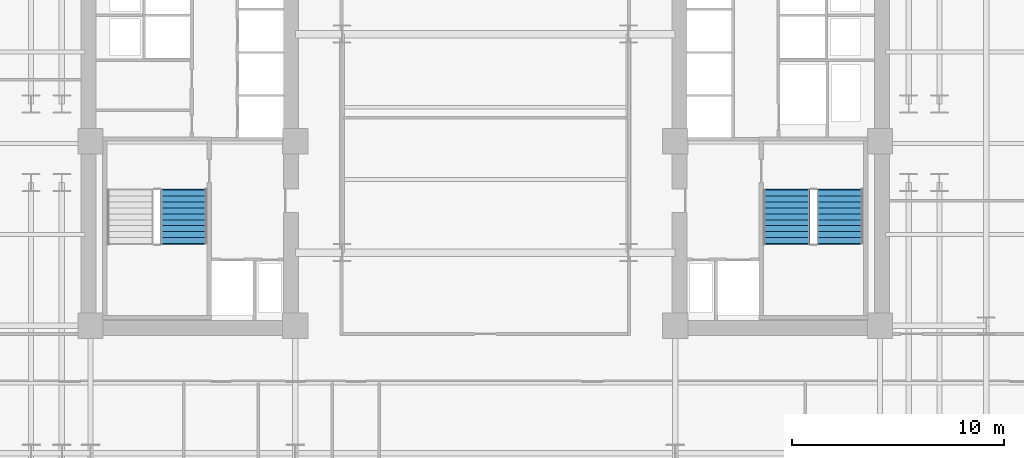
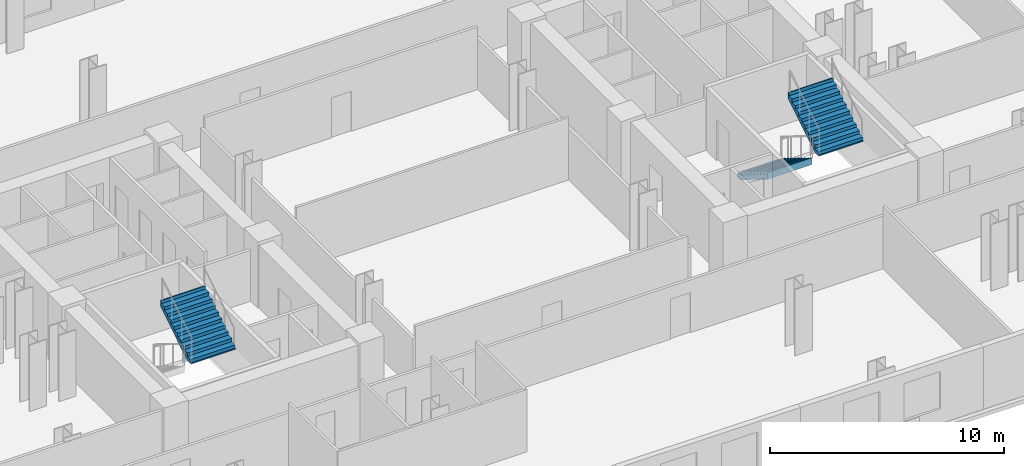
# One storey, part 8 of 10: 3 stair flights, 2 elements without a shape of their own.
"""IFC4 building model written with IfcOpenShell, lengths in metres."""

import ifcopenshell
import ifcopenshell.guid

model = None  # the IFC model being written
_history = None  # IfcOwnerHistory: only IFC2X3 demands one
_inside = {}  # id of a spatial element -> (the spatial element, [elements in it])
_under = {}  # id of a project, library or spatial element -> (it, [spatial elements below it])
_declared = {}  # id of a project -> (the project, [libraries it declares])
_typed = {}  # id of a type object -> (the type object, [elements of that type])
_made_of = {}  # id of a material, layer set ... -> (it, [elements and type objects made of it])


def new_model(schema):
    """Start an empty IFC model of exactly this schema.

    Asked for "IFC4X3", IfcOpenShell would pick the latest addendum, in which some entities
    have other attributes; the version numbers below select the first issue.
    IFC2X3 requires an IfcOwnerHistory on every rooted entity: one is made here for all.
    """
    global model, _history
    if schema == "IFC4X3":
        model = ifcopenshell.file(schema_version=(4, 3, 0, 0))
    else:
        model = ifcopenshell.file(schema=schema)
    _inside.clear()
    _under.clear()
    _declared.clear()
    _typed.clear()
    _made_of.clear()
    _history = None
    if model.schema == "IFC2X3":
        org = make("IfcOrganization", Name="unknown")
        user = make(
            "IfcPersonAndOrganization",
            ThePerson=make("IfcPerson", FamilyName="unknown"),
            TheOrganization=org,
        )
        app = make(
            "IfcApplication",
            ApplicationDeveloper=org,
            Version="unknown",
            ApplicationFullName="unknown",
            ApplicationIdentifier="unknown",
        )
        _history = make(
            "IfcOwnerHistory",
            OwningUser=user,
            OwningApplication=app,
            ChangeAction="ADDED",
            CreationDate=0,
        )
    return model


def make(cls, **values):
    """One entity of the class cls with the attributes given. An attribute that is None is left unset."""
    return model.create_entity(
        cls, **{name: value for name, value in values.items() if value is not None}
    )


def rooted(cls, **values):
    """An entity with a GlobalId (a new one), such as an element, a storey or a relation."""
    return make(cls, GlobalId=ifcopenshell.guid.new(), OwnerHistory=_history, **values)


def si_unit(unit_type, name, prefix=None):
    """IfcSIUnit, for example si_unit("LENGTHUNIT", "METRE", prefix="MILLI")."""
    return make("IfcSIUnit", UnitType=unit_type, Prefix=prefix, Name=name)


def assignment(units):
    """IfcUnitAssignment: the units of a project."""
    return None if units is None else make("IfcUnitAssignment", Units=units)


def point(xyz):
    """IfcCartesianPoint."""
    return None if xyz is None else make("IfcCartesianPoint", Coordinates=xyz)


def direction(xyz):
    """IfcDirection."""
    return None if xyz is None else make("IfcDirection", DirectionRatios=xyz)


def frame(location, z_axis=None, x_axis=None):
    """IfcAxis2Placement3D, a coordinate frame: its origin and axes. An axis left out is left unset."""
    return make(
        "IfcAxis2Placement3D",
        Location=point(location),
        Axis=direction(z_axis),
        RefDirection=direction(x_axis),
    )


def origin():
    """The frame at (0, 0, 0) with its axes left unset."""
    return frame((0.0, 0.0, 0.0))


def place(relative_to, where):
    """IfcLocalPlacement: puts the frame where relative to a parent placement (None: the world)."""
    return make(
        "IfcLocalPlacement", PlacementRelTo=relative_to, RelativePlacement=where
    )


def context(
    kind, dimensions, precision=None, world=None, true_north=None, identifier=None
):
    """IfcGeometricRepresentationContext, for example the 3D "Model" context."""
    return make(
        "IfcGeometricRepresentationContext",
        ContextIdentifier=identifier,
        ContextType=kind,
        CoordinateSpaceDimension=dimensions,
        Precision=precision,
        WorldCoordinateSystem=world,
        TrueNorth=true_north,
    )


def subcontext(parent, identifier, kind, view, scale=None):
    """IfcGeometricRepresentationSubContext, for example "Body" below "Model"."""
    return make(
        "IfcGeometricRepresentationSubContext",
        ContextIdentifier=identifier,
        ContextType=kind,
        ParentContext=parent,
        TargetScale=scale,
        TargetView=view,
    )


def project(units=None, contexts=None):
    """IfcProject with its units and contexts."""
    return rooted(
        "IfcProject",
        Name="project",
        RepresentationContexts=contexts,
        UnitsInContext=assignment(units),
    )


def spatial(cls, under=None, at=None, **own):
    """A site, building, storey or space (cls), placed at a placement, below another one or the project."""
    s = rooted(cls, ObjectPlacement=at, **own)
    if under is not None:
        _under.setdefault(under.id(), (under, []))[1].append(s)
    return s


def polyline(points):
    """IfcPolyline through the points."""
    return make("IfcPolyline", Points=[point(p) for p in points])


def outline(outer, holes=None, kind="AREA"):
    """IfcArbitraryClosedProfileDef: a profile drawn as a closed curve; with holes, ...WithVoids."""
    if holes is None:
        return make("IfcArbitraryClosedProfileDef", ProfileType=kind, OuterCurve=outer)
    return make(
        "IfcArbitraryProfileDefWithVoids",
        ProfileType=kind,
        OuterCurve=outer,
        InnerCurves=holes,
    )


def extrude(swept, where, along, depth):
    """IfcExtrudedAreaSolid: the profile swept, set in the frame where, extruded along a direction by depth."""
    return make(
        "IfcExtrudedAreaSolid",
        SweptArea=swept,
        Position=where,
        ExtrudedDirection=direction(along),
        Depth=depth,
    )


def shape(context_of_items, identifier, shape_type, items):
    """IfcShapeRepresentation: the items that make up one representation, for example the "Body"."""
    return make(
        "IfcShapeRepresentation",
        ContextOfItems=context_of_items,
        RepresentationIdentifier=identifier,
        RepresentationType=shape_type,
        Items=items,
    )


def material(Name=None, Category=None):
    """IfcMaterial."""
    return make("IfcMaterial", Name=Name, Category=Category)


def layer(
    of_material, thickness, ventilated=None, Name=None, Category=None, Priority=None
):
    """IfcMaterialLayer: one layer of a wall or slab, of a material (None: an air gap)."""
    return make(
        "IfcMaterialLayer",
        Material=of_material,
        LayerThickness=thickness,
        IsVentilated=ventilated,
        Name=Name,
        Category=Category,
        Priority=Priority,
    )


def layer_set(layers, Name=None):
    """IfcMaterialLayerSet."""
    return make("IfcMaterialLayerSet", MaterialLayers=layers, LayerSetName=Name)


def made_of(thing, what):
    """Note that an element or type object is made of a material, layer set ...; save() writes the relation."""
    if what is not None:
        _made_of.setdefault(what.id(), (what, []))[1].append(thing)
    return thing


def type_object(cls, material=None, **own):
    """A type object (cls), such as IfcWallType, which elements share."""
    return made_of(rooted(cls, **own), material)


def element(
    cls,
    number,
    at=None,
    inside=None,
    cuts=None,
    type_object=None,
    material=None,
    context=None,
    identifier="Body",
    shape_type=None,
    held_by="IfcProductDefinitionShape",
    body=None,
    shapes=None,
    **own,
):
    """One element of the class cls, such as IfcWall. Its Tag is "e" and its number.

    at: its placement. inside: the storey or other place that contains it. cuts: it is an
    opening in that element (IfcRelVoidsElement). A single representation is given by context,
    identifier, shape_type and body (its items); several are given by shapes. held_by: the class
    of the entity that holds the representations. save() writes the other relations.
    """
    e = rooted(cls, Tag="e%d" % number, ObjectPlacement=at, **own)
    if body is not None:
        shapes = [shape(context, identifier, shape_type, body)]
    if shapes is not None:
        e.Representation = make(held_by, Representations=shapes)
    if inside is not None:
        _inside.setdefault(inside.id(), (inside, []))[1].append(e)
    if cuts is not None:
        rooted(
            "IfcRelVoidsElement", RelatingBuildingElement=cuts, RelatedOpeningElement=e
        )
    if type_object is not None:
        _typed.setdefault(type_object.id(), (type_object, []))[1].append(e)
    return made_of(e, material)


def aggregate(whole, parts):
    """IfcRelAggregates: a whole, such as a stair, and the parts it consists of."""
    return rooted("IfcRelAggregates", RelatingObject=whole, RelatedObjects=parts)


def save(model, path):
    """Write the relations noted so far, then the file.

    IfcRelAggregates (storeys below a building ...), IfcRelContainedInSpatialStructure (elements
    in a storey), IfcRelDefinesByType, IfcRelAssociatesMaterial and IfcRelDeclares: one each for
    every whole, place, type object, material and project.
    """
    for whole, parts in _under.values():
        aggregate(whole, parts)
    for where, things in _inside.values():
        rooted(
            "IfcRelContainedInSpatialStructure",
            RelatedElements=things,
            RelatingStructure=where,
        )
    for kind, things in _typed.values():
        rooted("IfcRelDefinesByType", RelatedObjects=things, RelatingType=kind)
    for what, things in _made_of.values():
        rooted("IfcRelAssociatesMaterial", RelatedObjects=things, RelatingMaterial=what)
    for by, libraries in _declared.values():
        rooted("IfcRelDeclares", RelatingContext=by, RelatedDefinitions=libraries)
    model.write(path)


model = new_model("IFC4")

# Units and contexts
model_context = context("Model", 3, precision=1e-05, world=origin(), true_north=direction((0.0, 1.0)))
body_context = subcontext(model_context, "Body", "Model", "MODEL_VIEW")
ifc_project = project(units=[si_unit("LENGTHUNIT", "METRE"), si_unit("AREAUNIT", "SQUARE_METRE"), si_unit("VOLUMEUNIT", "CUBIC_METRE"), si_unit("PLANEANGLEUNIT", "RADIAN"), si_unit("MASSUNIT", "GRAM", prefix="KILO")], contexts=[model_context])

# Site, building, storey
site_placement = place(None, origin())
site = spatial("IfcSite", under=ifc_project, at=site_placement, CompositionType="ELEMENT")
building_placement = place(site_placement, origin())
building = spatial("IfcBuilding", under=site, at=building_placement, Name="Velakula Bourse", CompositionType="ELEMENT")
storey_placement = place(building_placement, frame((0.0, 0.0, 34.64990234375)))
storey = spatial("IfcBuildingStorey", under=building, at=storey_placement, Name="L08", CompositionType="ELEMENT", Elevation=34.64990234375)

# Stair, stair flight
ifc_material = material(Name="Concrete M45 (fck 45 MPa)", Category="concrete")
stair_type = type_object("IfcStairType", Name="STR-DOG-390", PredefinedType="HALF_TURN_STAIR", material=ifc_material)
stair_1_placement = place(storey_placement, origin())
stair_1 = element("IfcStair", 1, at=stair_1_placement, inside=storey, type_object=stair_type, Name="L08 West Core Exit Stair ST-W1", PredefinedType="HALF_TURN_STAIR")
ifc_layer = layer(ifc_material, 0.195068359375, Name="Concrete M45 (fck 45 MPa)", Category="concrete")
ifc_layer_set = layer_set([ifc_layer], Name="Concrete M45 (fck 45 MPa)")
stair_flight_type = type_object("IfcStairFlightType", Name="FLT-DOG-390", PredefinedType="STRAIGHT", material=ifc_layer_set)
stair_flight_1_placement = place(storey_placement, frame((-14.198974609375, -4.719970703125, 1.72509765625), z_axis=(0.0, 0.0, 1.0), x_axis=(0.0, 1.0, 0.0)))
stair_flight_1 = element("IfcStairFlight", 2, at=stair_flight_1_placement, type_object=stair_flight_type, Name="ST-W1 flight 2", NumberOfRisers=10, NumberOfTreads=9, PredefinedType="STRAIGHT", RiserHeight=0.1725, TreadLength=0.28, context=body_context, shape_type="SweptSolid", body=[
    extrude(outline(polyline([(-0.044921875, -0.0400390625), (-0.044921875, -0.036865234375), (-0.044921875, -0.033935546875), (-0.044921875, -0.03076171875), (-0.044921875, -0.027587890625), (-0.044921875, -0.024658203125), (-0.044921875, -0.021484375), (-0.044921875, -0.0185546875), (-0.044921875, -0.015380859375), (-0.044921875, -0.01220703125), (-0.044921875, -0.00927734375), (-0.044921875, -0.006103515625), (-0.044921875, -0.003173828125), (-0.044921875, 0.0), (0.0, 0.0), (0.0, 0.172607421875), (0.280029296875, 0.172607421875), (0.280029296875, 0.344970703125), (0.56005859375, 0.344970703125), (0.56005859375, 0.517578125), (0.840087890625, 0.517578125), (0.840087890625, 0.68994140625), (1.1201171875, 0.68994140625), (1.1201171875, 0.862548828125), (1.39990234375, 0.862548828125), (1.39990234375, 1.034912109375), (1.679931640625, 1.034912109375), (1.679931640625, 1.20751953125), (1.9599609375, 1.20751953125), (1.9599609375, 1.3798828125), (2.239990234375, 1.3798828125), (2.239990234375, 1.552490234375), (2.52001953125, 1.552490234375), (2.52001953125, 1.72509765625), (2.56494140625, 1.72509765625), (2.56494140625, 1.7001953125), (2.56494140625, 1.67529296875), (2.56494140625, 1.650390625), (2.56494140625, 1.62548828125), (2.56494140625, 1.6005859375), (2.56494140625, 1.57568359375), (2.56494140625, 1.55078125), (2.56494140625, 1.52587890625), (2.56494140625, 1.5009765625), (2.56494140625, 1.47607421875), (2.56494140625, 1.451171875), (2.56494140625, 1.42626953125), (2.56494140625, 1.4013671875), (2.56494140625, 1.37646484375), (0.285888671875, -0.0400390625), (-0.044921875, -0.0400390625)])), frame((0.0, 1.09912109375, 0.0), z_axis=(0.0, -1.0, 0.0), x_axis=(1.0, 0.0, 0.0)), (0.0, 0.0, 1.0), 2.197998046875),
])
aggregate(stair_1, [stair_flight_1])

# Stair, stair flights
stair_2_placement = place(storey_placement, origin())
stair_2 = element("IfcStair", 3, at=stair_2_placement, inside=storey, type_object=stair_type, Name="L08 East Core Exit Stair ST-E1", PredefinedType="HALF_TURN_STAIR")
stair_flight_2_placement = place(storey_placement, frame((14.198974609375, -2.199951171875, 0.0), z_axis=(0.0, 0.0, 1.0), x_axis=(0.0, -1.0, 0.0)))
stair_flight_2 = element("IfcStairFlight", 4, at=stair_flight_2_placement, type_object=stair_flight_type, Name="ST-E1 flight 1", NumberOfRisers=10, NumberOfTreads=9, PredefinedType="STRAIGHT", RiserHeight=0.1725, TreadLength=0.28, context=body_context, shape_type="SweptSolid", body=[
    extrude(outline(polyline([(-0.044921875, -0.0400390625), (-0.044921875, -0.036865234375), (-0.044921875, -0.033935546875), (-0.044921875, -0.03076171875), (-0.044921875, -0.027587890625), (-0.044921875, -0.024658203125), (-0.044921875, -0.021484375), (-0.044921875, -0.0185546875), (-0.044921875, -0.015380859375), (-0.044921875, -0.01220703125), (-0.044921875, -0.00927734375), (-0.044921875, -0.006103515625), (-0.044921875, -0.003173828125), (-0.044921875, 0.0), (0.0, 0.0), (0.0, 0.172607421875), (0.280029296875, 0.172607421875), (0.280029296875, 0.344970703125), (0.56005859375, 0.344970703125), (0.56005859375, 0.517578125), (0.840087890625, 0.517578125), (0.840087890625, 0.68994140625), (1.1201171875, 0.68994140625), (1.1201171875, 0.862548828125), (1.39990234375, 0.862548828125), (1.39990234375, 1.034912109375), (1.679931640625, 1.034912109375), (1.679931640625, 1.20751953125), (1.9599609375, 1.20751953125), (1.9599609375, 1.3798828125), (2.239990234375, 1.3798828125), (2.239990234375, 1.552490234375), (2.52001953125, 1.552490234375), (2.52001953125, 1.72509765625), (2.56494140625, 1.72509765625), (2.56494140625, 1.7001953125), (2.56494140625, 1.67529296875), (2.56494140625, 1.650390625), (2.56494140625, 1.62548828125), (2.56494140625, 1.6005859375), (2.56494140625, 1.57568359375), (2.56494140625, 1.55078125), (2.56494140625, 1.52587890625), (2.56494140625, 1.5009765625), (2.56494140625, 1.47607421875), (2.56494140625, 1.451171875), (2.56494140625, 1.42626953125), (2.56494140625, 1.4013671875), (2.56494140625, 1.37646484375), (0.285888671875, -0.0400390625), (-0.044921875, -0.0400390625)])), frame((0.0, 1.09912109375, 0.0), z_axis=(0.0, -1.0, 0.0), x_axis=(1.0, 0.0, 0.0)), (0.0, 0.0, 1.0), 2.197998046875),
])
stair_flight_3_placement = place(storey_placement, frame((16.720947265625, -4.719970703125, 1.72509765625), z_axis=(0.0, 0.0, 1.0), x_axis=(0.0, 1.0, 0.0)))
stair_flight_3 = element("IfcStairFlight", 5, at=stair_flight_3_placement, type_object=stair_flight_type, Name="ST-E1 flight 2", NumberOfRisers=10, NumberOfTreads=9, PredefinedType="STRAIGHT", RiserHeight=0.1725, TreadLength=0.28, context=body_context, shape_type="SweptSolid", body=[
    extrude(outline(polyline([(-0.044921875, -0.0400390625), (-0.044921875, -0.036865234375), (-0.044921875, -0.033935546875), (-0.044921875, -0.03076171875), (-0.044921875, -0.027587890625), (-0.044921875, -0.024658203125), (-0.044921875, -0.021484375), (-0.044921875, -0.0185546875), (-0.044921875, -0.015380859375), (-0.044921875, -0.01220703125), (-0.044921875, -0.00927734375), (-0.044921875, -0.006103515625), (-0.044921875, -0.003173828125), (-0.044921875, 0.0), (0.0, 0.0), (0.0, 0.172607421875), (0.280029296875, 0.172607421875), (0.280029296875, 0.344970703125), (0.56005859375, 0.344970703125), (0.56005859375, 0.517578125), (0.840087890625, 0.517578125), (0.840087890625, 0.68994140625), (1.1201171875, 0.68994140625), (1.1201171875, 0.862548828125), (1.39990234375, 0.862548828125), (1.39990234375, 1.034912109375), (1.679931640625, 1.034912109375), (1.679931640625, 1.20751953125), (1.9599609375, 1.20751953125), (1.9599609375, 1.3798828125), (2.239990234375, 1.3798828125), (2.239990234375, 1.552490234375), (2.52001953125, 1.552490234375), (2.52001953125, 1.72509765625), (2.56494140625, 1.72509765625), (2.56494140625, 1.7001953125), (2.56494140625, 1.67529296875), (2.56494140625, 1.650390625), (2.56494140625, 1.62548828125), (2.56494140625, 1.6005859375), (2.56494140625, 1.57568359375), (2.56494140625, 1.55078125), (2.56494140625, 1.52587890625), (2.56494140625, 1.5009765625), (2.56494140625, 1.47607421875), (2.56494140625, 1.451171875), (2.56494140625, 1.42626953125), (2.56494140625, 1.4013671875), (2.56494140625, 1.37646484375), (0.285888671875, -0.0400390625), (-0.044921875, -0.0400390625)])), frame((0.0, 1.09912109375, 0.0), z_axis=(0.0, -1.0, 0.0), x_axis=(1.0, 0.0, 0.0)), (0.0, 0.0, 1.0), 2.197998046875),
])
aggregate(stair_2, [stair_flight_2, stair_flight_3])

save(model, "model.ifc")
